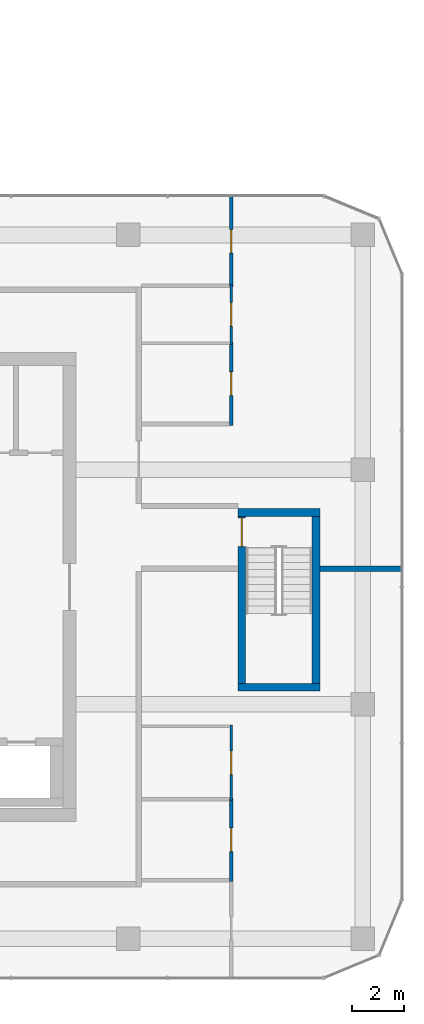
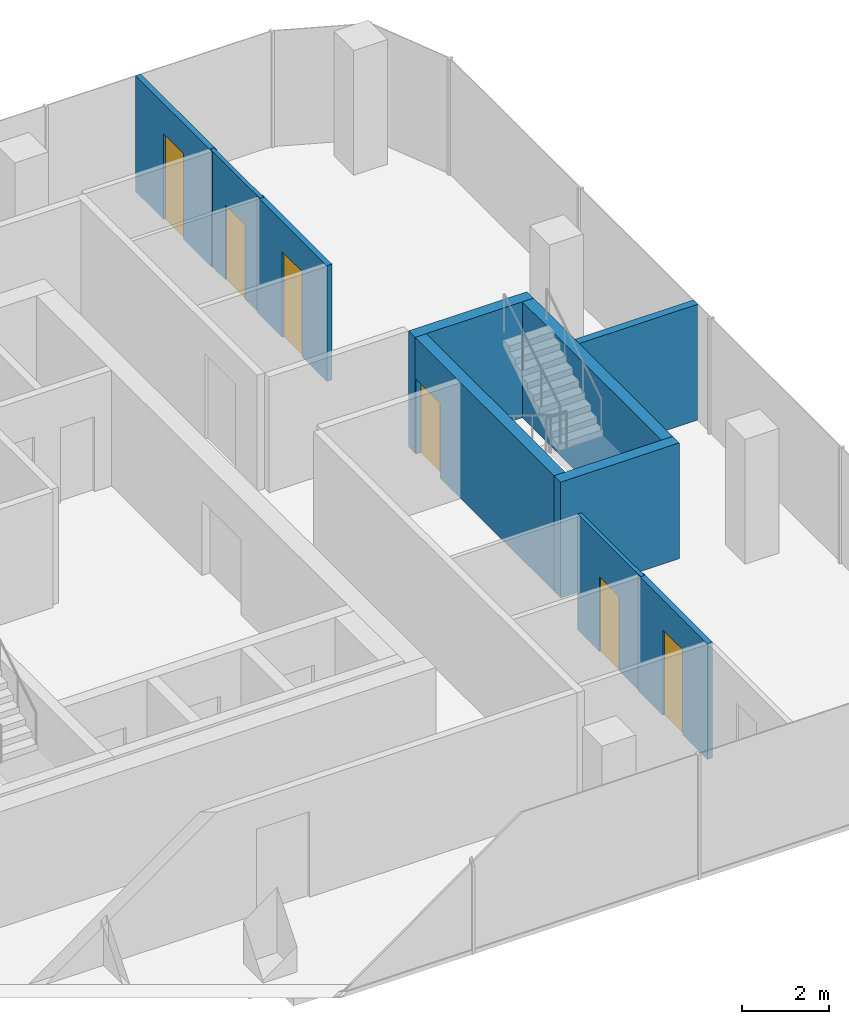
# One storey, part 20 of 24: 10 walls, 6 doors, 6 openings.
"""IFC4 building model written with IfcOpenShell, lengths in metres."""

from ifc_helpers import new_model, si_unit, direction, frame, frame_2d, origin, place, context, subcontext, project, spatial, rectangle, extrude, material, layer, layer_set, type_object, element, fill, save


model = new_model("IFC4")

# Units and contexts
model_context = context("Model", 3, precision=1e-05, world=origin(), true_north=direction((0.0, 1.0)))
body_context = subcontext(model_context, "Body", "Model", "MODEL_VIEW")
ifc_project = project(units=[si_unit("LENGTHUNIT", "METRE"), si_unit("AREAUNIT", "SQUARE_METRE"), si_unit("VOLUMEUNIT", "CUBIC_METRE"), si_unit("PLANEANGLEUNIT", "RADIAN"), si_unit("MASSUNIT", "GRAM", prefix="KILO")], contexts=[model_context])

# Site, building, storey
site_placement = place(None, origin())
site = spatial("IfcSite", under=ifc_project, at=site_placement, CompositionType="ELEMENT")
building_placement = place(site_placement, origin())
building = spatial("IfcBuilding", under=site, at=building_placement, Name="Plateau Cross Towers", CompositionType="ELEMENT")
storey_placement = place(building_placement, frame((0.0, 0.0, 51.300048828125)))
storey = spatial("IfcBuildingStorey", under=building, at=storey_placement, Name="L12", CompositionType="ELEMENT", Elevation=51.300048828125)

# Wall, opening, door
ifc_material_1 = material(Name="Concrete C60/75", Category="concrete")
ifc_layer_1 = layer(ifc_material_1, 0.300048828125)
ifc_layer_set_1 = layer_set([ifc_layer_1], Name="Concrete C60/75")
wall_type_1 = type_object("IfcWallType", Name="Core shaft wall 300", PredefinedType="SHEAR", material=ifc_layer_set_1)
wall_1_placement = place(storey_placement, frame((95.85009765625, 5.300048828125, 0.0), z_axis=(0.0, 0.0, 1.0), x_axis=(0.0, 1.0, 0.0)))
wall_1 = element("IfcWall", 1, at=wall_1_placement, inside=storey, type_object=wall_type_1, Name="B-sb3-W@L12", PredefinedType="SHEAR", context=body_context, shape_type="SweptSolid", body=[
    extrude(rectangle(XDim=6.39990234375, YDim=0.300048828125, at=frame_2d((3.199951171875, 0.0))), origin(), (0.0, 0.0, 1.0), 3.25),
])
opening_1_placement = place(wall_1_placement, frame((5.25, 0.0, 0.0)))
opening_1 = element("IfcOpeningElement", 2, at=opening_1_placement, cuts=wall_1, Name="Opening SD", PredefinedType="OPENING", context=body_context, shape_type="SweptSolid", body=[
    extrude(rectangle(XDim=1.10009765625, YDim=2.10009765625, at=frame_2d((0.550048828125, 1.050048828125))), frame((0.0, 0.159912109375, 0.0), z_axis=(0.0, -1.0, 0.0), x_axis=(1.0, 0.0, 0.0)), (0.0, 0.0, 1.0), 0.320068359375),
])
ifc_material_2 = material(Name="Steel, fire-resisting leaf", Category="steel")
door_type_1 = type_object("IfcDoorType", Name="Stair door 1100", OperationType="NOTDEFINED", PredefinedType="DOOR", material=ifc_material_2)
door_1_placement = place(opening_1_placement, origin())
door_1 = element("IfcDoor", 3, at=door_1_placement, inside=storey, type_object=door_type_1, Name="Stair door SD", OperationType="SINGLE_SWING_LEFT", OverallHeight=2.10009765625, OverallWidth=1.10009765625, PredefinedType="DOOR", context=body_context, shape_type="SweptSolid", body=[
    extrude(rectangle(XDim=1.10009765625, YDim=2.10009765625, at=frame_2d((0.550048828125, 1.050048828125))), frame((0.0, 0.02490234375, 0.0), z_axis=(0.0, -1.0, 0.0), x_axis=(1.0, 0.0, 0.0)), (0.0, 0.0, 1.0), 0.050048828125),
])
fill(opening_1, door_1)

# Walls
wall_2_placement = place(storey_placement, frame((98.699951171875, 5.300048828125, 0.0), z_axis=(0.0, 0.0, 1.0), x_axis=(0.0, 1.0, 0.0)))
element("IfcWall", 4, at=wall_2_placement, inside=storey, type_object=wall_type_1, Name="B-sb3-E@L12", PredefinedType="SHEAR", context=body_context, shape_type="SweptSolid", body=[
    extrude(rectangle(XDim=6.39990234375, YDim=0.300048828125, at=frame_2d((3.199951171875, 0.0))), origin(), (0.0, 0.0, 1.0), 3.25),
])
for number, where, z_axis, x_axis, name in (
    (5, (95.699951171875, 5.14990234375, 0.0), (0.0, 0.0, 1.0), (1.0, 0.0, 0.0), "B-sb3-S@L12"),
    (6, (95.699951171875, 11.85009765625, 0.0), (0.0, 0.0, 1.0), (1.0, 0.0, 0.0), "B-sb3-N@L12"),
):
    element("IfcWall", number, at=place(storey_placement, frame(where, z_axis=z_axis, x_axis=x_axis)), inside=storey, type_object=wall_type_1, Name=name, PredefinedType="SHEAR", context=body_context, shape_type="SweptSolid", body=[
        extrude(rectangle(XDim=3.150146484375, YDim=0.300048828125, at=frame_2d((1.5751953125, 0.0))), origin(), (0.0, 0.0, 1.0), 3.25),
    ])

# Wall, opening, door
ifc_material_3 = material(Name="Gypsum board on staggered steel studs, mineral wool, two layers each side", Category="steel")
ifc_layer_2 = layer(ifc_material_3, 0.139892578125)
ifc_layer_set_2 = layer_set([ifc_layer_2], Name="Gypsum board on staggered steel studs, mineral wool, two layers each side")
wall_type_2 = type_object("IfcWallType", Name="Meeting room acoustic partition 140", PredefinedType="PARTITIONING", material=ifc_layer_set_2)
wall_3_placement = place(storey_placement, frame((95.449951171875, -2.300048828125, 0.0), z_axis=(0.0, 0.0, 1.0), x_axis=(0.0, 1.0, 0.0)))
wall_3 = element("IfcWall", 7, at=wall_3_placement, inside=storey, type_object=wall_type_2, Name="Acoustic wall", PredefinedType="PARTITIONING", context=body_context, shape_type="SweptSolid", body=[
    extrude(rectangle(XDim=3.199951171875, YDim=0.139892578125, at=frame_2d((1.60009765625, 0.0))), origin(), (0.0, 0.0, 1.0), 3.25),
])
opening_2_placement = place(wall_3_placement, frame((1.14990234375, 0.0, 0.0)))
opening_2 = element("IfcOpeningElement", 8, at=opening_2_placement, cuts=wall_3, Name="Opening D-BM9", PredefinedType="OPENING", context=body_context, shape_type="SweptSolid", body=[
    extrude(rectangle(XDim=0.89990234375, YDim=2.39990234375, at=frame_2d((0.449951171875, 1.199951171875))), frame((0.0, 0.079833984375, 0.0), z_axis=(0.0, -1.0, 0.0), x_axis=(1.0, 0.0, 0.0)), (0.0, 0.0, 1.0), 0.159912109375),
])
ifc_material_4 = material(Name="Timber leaf, full height", Category="wood")
door_type_2 = type_object("IfcDoorType", Name="Meeting room door 900x2400", OperationType="NOTDEFINED", PredefinedType="DOOR", material=ifc_material_4)
door_2_placement = place(opening_2_placement, origin())
door_2 = element("IfcDoor", 9, at=door_2_placement, inside=storey, type_object=door_type_2, Name="Door D-BM9", OperationType="SINGLE_SWING_LEFT", OverallHeight=2.39990234375, OverallWidth=0.89990234375, PredefinedType="DOOR", context=body_context, shape_type="SweptSolid", body=[
    extrude(rectangle(XDim=0.89990234375, YDim=2.39990234375, at=frame_2d((0.449951171875, 1.199951171875))), frame((0.0, 0.02490234375, 0.0), z_axis=(0.0, -1.0, 0.0), x_axis=(1.0, 0.0, 0.0)), (0.0, 0.0, 1.0), 0.050048828125),
])
fill(opening_2, door_2)

wall_4_placement = place(storey_placement, frame((95.449951171875, 20.5, 0.0), z_axis=(0.0, 0.0, 1.0), x_axis=(0.0, 1.0, 0.0)))
wall_4 = element("IfcWall", 10, at=wall_4_placement, inside=storey, type_object=wall_type_2, Name="Acoustic wall", PredefinedType="PARTITIONING", context=body_context, shape_type="SweptSolid", body=[
    extrude(rectangle(XDim=3.5, YDim=0.139892578125, at=frame_2d((1.75, 0.0))), origin(), (0.0, 0.0, 1.0), 3.25),
])
opening_3_placement = place(wall_4_placement, frame((1.300048828125, 0.0, 0.0)))
opening_3 = element("IfcOpeningElement", 11, at=opening_3_placement, cuts=wall_4, Name="Opening D-BM9", PredefinedType="OPENING", context=body_context, shape_type="SweptSolid", body=[
    extrude(rectangle(XDim=0.89990234375, YDim=2.39990234375, at=frame_2d((0.449951171875, 1.199951171875))), frame((0.0, 0.079833984375, 0.0), z_axis=(0.0, -1.0, 0.0), x_axis=(1.0, 0.0, 0.0)), (0.0, 0.0, 1.0), 0.159912109375),
])
door_3_placement = place(opening_3_placement, origin())
door_3 = element("IfcDoor", 12, at=door_3_placement, inside=storey, type_object=door_type_2, Name="Door D-BM9", OperationType="SINGLE_SWING_LEFT", OverallHeight=2.39990234375, OverallWidth=0.89990234375, PredefinedType="DOOR", context=body_context, shape_type="SweptSolid", body=[
    extrude(rectangle(XDim=0.89990234375, YDim=2.39990234375, at=frame_2d((0.449951171875, 1.199951171875))), frame((0.0, 0.02490234375, 0.0), z_axis=(0.0, -1.0, 0.0), x_axis=(1.0, 0.0, 0.0)), (0.0, 0.0, 1.0), 0.050048828125),
])
fill(opening_3, door_3)

wall_5_placement = place(storey_placement, frame((95.449951171875, 15.199951171875, 0.0), z_axis=(0.0, 0.0, 1.0), x_axis=(0.0, 1.0, 0.0)))
wall_5 = element("IfcWall", 13, at=wall_5_placement, inside=storey, type_object=wall_type_2, Name="Acoustic wall", PredefinedType="PARTITIONING", context=body_context, shape_type="SweptSolid", body=[
    extrude(rectangle(XDim=3.199951171875, YDim=0.139892578125, at=frame_2d((1.60009765625, 0.0))), origin(), (0.0, 0.0, 1.0), 3.25),
])
opening_4_placement = place(wall_5_placement, frame((1.14990234375, 0.0, 0.0)))
opening_4 = element("IfcOpeningElement", 14, at=opening_4_placement, cuts=wall_5, Name="Opening D-BM9", PredefinedType="OPENING", context=body_context, shape_type="SweptSolid", body=[
    extrude(rectangle(XDim=0.89990234375, YDim=2.39990234375, at=frame_2d((0.449951171875, 1.199951171875))), frame((0.0, 0.079833984375, 0.0), z_axis=(0.0, -1.0, 0.0), x_axis=(1.0, 0.0, 0.0)), (0.0, 0.0, 1.0), 0.159912109375),
])
door_4_placement = place(opening_4_placement, origin())
door_4 = element("IfcDoor", 15, at=door_4_placement, inside=storey, type_object=door_type_2, Name="Door D-BM9", OperationType="SINGLE_SWING_LEFT", OverallHeight=2.39990234375, OverallWidth=0.89990234375, PredefinedType="DOOR", context=body_context, shape_type="SweptSolid", body=[
    extrude(rectangle(XDim=0.89990234375, YDim=2.39990234375, at=frame_2d((0.449951171875, 1.199951171875))), frame((0.0, 0.02490234375, 0.0), z_axis=(0.0, -1.0, 0.0), x_axis=(1.0, 0.0, 0.0)), (0.0, 0.0, 1.0), 0.050048828125),
])
fill(opening_4, door_4)

ifc_material_5 = material(Name="Gypsum board on steel studs", Category="steel")
ifc_layer_3 = layer(ifc_material_5, 0.10009765625)
ifc_layer_set_3 = layer_set([ifc_layer_3], Name="Gypsum board on steel studs")
wall_type_3 = type_object("IfcWallType", Name="Office partition 100", PredefinedType="PARTITIONING", material=ifc_layer_set_3)
wall_6_placement = place(storey_placement, frame((95.449951171875, 0.800048828125, 0.0), z_axis=(0.0, 0.0, 1.0), x_axis=(0.0, 1.0, 0.0)))
wall_6 = element("IfcWall", 16, at=wall_6_placement, inside=storey, type_object=wall_type_3, Name="Part wall", PredefinedType="PARTITIONING", context=body_context, shape_type="SweptSolid", body=[
    extrude(rectangle(XDim=2.89990234375, YDim=0.10009765625, at=frame_2d((1.449951171875, 0.0))), origin(), (0.0, 0.0, 1.0), 3.25),
])
opening_5_placement = place(wall_6_placement, frame((1.0, 0.0, 0.0)))
opening_5 = element("IfcOpeningElement", 17, at=opening_5_placement, cuts=wall_6, Name="Opening D-BR9", PredefinedType="OPENING", context=body_context, shape_type="SweptSolid", body=[
    extrude(rectangle(XDim=0.89990234375, YDim=2.10009765625, at=frame_2d((0.449951171875, 1.050048828125))), frame((0.0, 0.06005859375, 0.0), z_axis=(0.0, -1.0, 0.0), x_axis=(1.0, 0.0, 0.0)), (0.0, 0.0, 1.0), 0.1201171875),
])
ifc_material_6 = material(Name="Timber leaf", Category="wood")
door_type_3 = type_object("IfcDoorType", Name="Office room door 900", OperationType="NOTDEFINED", PredefinedType="DOOR", material=ifc_material_6)
door_5_placement = place(opening_5_placement, origin())
door_5 = element("IfcDoor", 18, at=door_5_placement, inside=storey, type_object=door_type_3, Name="Door D-BR9", OperationType="SINGLE_SWING_LEFT", OverallHeight=2.10009765625, OverallWidth=0.89990234375, PredefinedType="DOOR", context=body_context, shape_type="SweptSolid", body=[
    extrude(rectangle(XDim=0.89990234375, YDim=2.10009765625, at=frame_2d((0.449951171875, 1.050048828125))), frame((0.0, 0.02490234375, 0.0), z_axis=(0.0, -1.0, 0.0), x_axis=(1.0, 0.0, 0.0)), (0.0, 0.0, 1.0), 0.050048828125),
])
fill(opening_5, door_5)

wall_7_placement = place(storey_placement, frame((95.449951171875, 18.300048828125, 0.0), z_axis=(0.0, 0.0, 1.0), x_axis=(0.0, 1.0, 0.0)))
wall_7 = element("IfcWall", 19, at=wall_7_placement, inside=storey, type_object=wall_type_3, Name="Part wall", PredefinedType="PARTITIONING", context=body_context, shape_type="SweptSolid", body=[
    extrude(rectangle(XDim=2.300048828125, YDim=0.10009765625, at=frame_2d((1.14990234375, 0.0))), origin(), (0.0, 0.0, 1.0), 3.25),
])
opening_6_placement = place(wall_7_placement, frame((0.699951171875, 0.0, 0.0)))
opening_6 = element("IfcOpeningElement", 20, at=opening_6_placement, cuts=wall_7, Name="Opening D-BR9", PredefinedType="OPENING", context=body_context, shape_type="SweptSolid", body=[
    extrude(rectangle(XDim=0.89990234375, YDim=2.10009765625, at=frame_2d((0.449951171875, 1.050048828125))), frame((0.0, 0.06005859375, 0.0), z_axis=(0.0, -1.0, 0.0), x_axis=(1.0, 0.0, 0.0)), (0.0, 0.0, 1.0), 0.1201171875),
])
door_6_placement = place(opening_6_placement, origin())
door_6 = element("IfcDoor", 21, at=door_6_placement, inside=storey, type_object=door_type_3, Name="Door D-BR9", OperationType="SINGLE_SWING_LEFT", OverallHeight=2.10009765625, OverallWidth=0.89990234375, PredefinedType="DOOR", context=body_context, shape_type="SweptSolid", body=[
    extrude(rectangle(XDim=0.89990234375, YDim=2.10009765625, at=frame_2d((0.449951171875, 1.050048828125))), frame((0.0, 0.02490234375, 0.0), z_axis=(0.0, -1.0, 0.0), x_axis=(1.0, 0.0, 0.0)), (0.0, 0.0, 1.0), 0.050048828125),
])
fill(opening_6, door_6)

# Wall
ifc_material_7 = material(Name="Gypsum board on steel studs, two layers each side", Category="steel")
ifc_layer_4 = layer(ifc_material_7, 0.199951171875)
ifc_layer_set_4 = layer_set([ifc_layer_4], Name="Gypsum board on steel studs, two layers each side")
wall_type_4 = type_object("IfcWallType", Name="Tenancy demising wall 200", PredefinedType="PARTITIONING", material=ifc_layer_set_4)
wall_8_placement = place(storey_placement, frame((98.85009765625, 9.699951171875, 0.0), z_axis=(0.0, 0.0, 1.0), x_axis=(1.0, 0.0, 0.0)))
element("IfcWall", 22, at=wall_8_placement, inside=storey, type_object=wall_type_4, Name="Demising wall", PredefinedType="PARTITIONING", context=body_context, shape_type="SweptSolid", body=[
    extrude(rectangle(XDim=3.14990234375, YDim=0.199951171875, at=frame_2d((1.574951171875, 0.0))), origin(), (0.0, 0.0, 1.0), 3.25),
])

save(model, "model.ifc")
